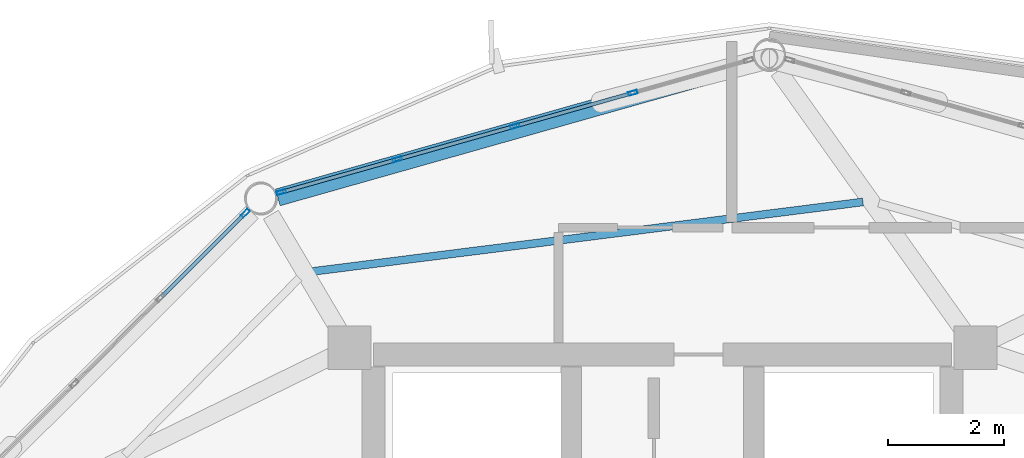
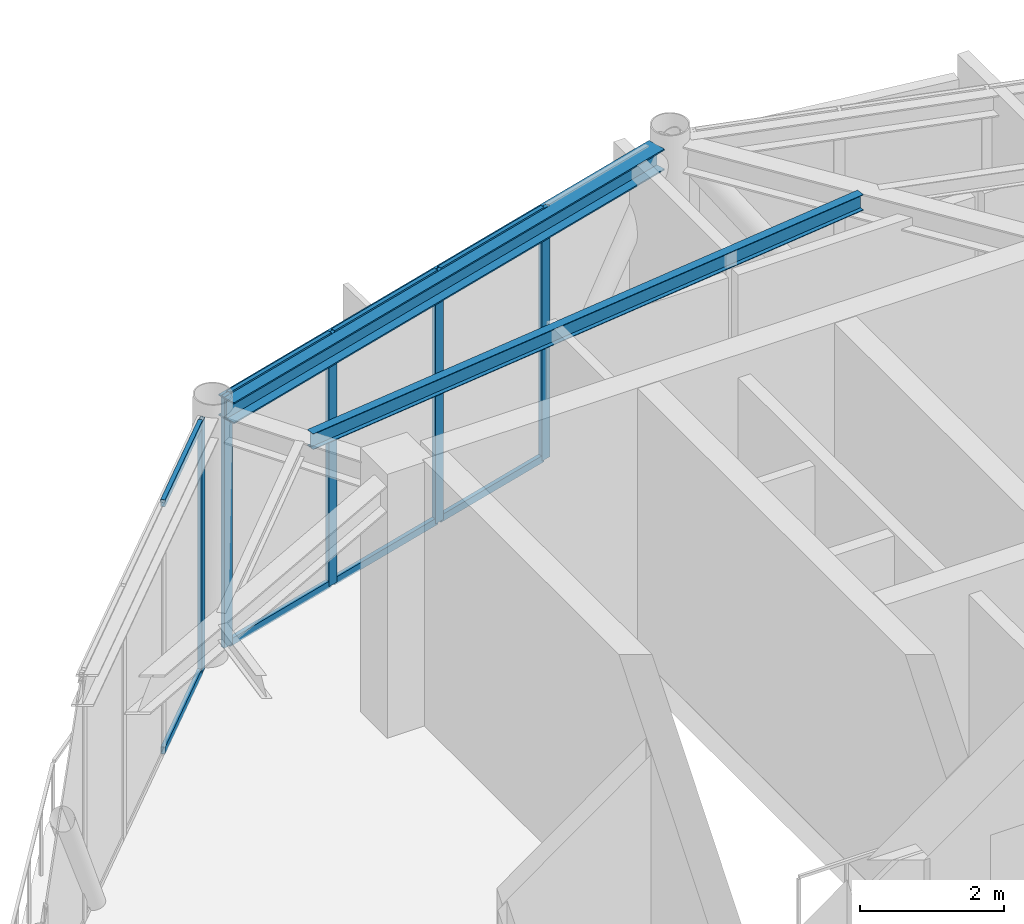
# One storey, part 17 of 26: 13 members, 2 beams, 2 elements without a shape of their own.
"""IFC4 building model written with IfcOpenShell, lengths in metres."""

from ifc_helpers import new_model, si_unit, direction, frame, origin, origin_2d, place, context, subcontext, project, spatial, hollow_rectangle, i_section, extrude, material, layer, layer_set, material_profile, profile_set, type_object, element, aggregate, save


model = new_model("IFC4")

# Units and contexts
model_context = context("Model", 3, precision=1e-05, world=origin(), true_north=direction((0.0, 1.0)))
body_context = subcontext(model_context, "Body", "Model", "MODEL_VIEW")
ifc_project = project(units=[si_unit("LENGTHUNIT", "METRE"), si_unit("AREAUNIT", "SQUARE_METRE"), si_unit("VOLUMEUNIT", "CUBIC_METRE"), si_unit("PLANEANGLEUNIT", "RADIAN"), si_unit("MASSUNIT", "GRAM", prefix="KILO")], contexts=[model_context])

# Site, building, storey
site_placement = place(None, origin())
site = spatial("IfcSite", under=ifc_project, at=site_placement, CompositionType="ELEMENT")
building_placement = place(site_placement, origin())
building = spatial("IfcBuilding", under=site, at=building_placement, Name="Varnakorn Sky Granary", CompositionType="ELEMENT")
storey_placement = place(building_placement, frame((0.0, 0.0, 289.5)))
storey = spatial("IfcBuildingStorey", under=building, at=storey_placement, Name="L74", CompositionType="ELEMENT", Elevation=289.5)

# Beams
ifc_material_1 = material(Name="Steel S355JR", Category="steel")
ifc_material_profile_1 = material_profile(ifc_material_1, i_section(OverallWidth=0.135009765625, OverallDepth=0.27001953125, WebThickness=0.006591796875, FlangeThickness=0.01025390625, at=origin_2d()), Name="IPE 270")
ifc_profile_set_1 = profile_set([ifc_material_profile_1], Name="Steel S355JR")
beam_type_1 = type_object("IfcBeamType", Name="BM-SEC-Z5", PredefinedType="BEAM", material=ifc_profile_set_1)
beam_1_placement = place(storey_placement, frame((6.469970703125, 15.143798828125, 4.125), z_axis=(-0.992123700518, -0.125261976958, 0.0), x_axis=(0.125261976958, -0.992123700518, 0.0)))
element("IfcBeam", 1, at=beam_1_placement, inside=storey, type_object=beam_type_1, Name="Secondary Floor Chord Beam MSB04 L74", PredefinedType="BEAM", context=body_context, shape_type="SweptSolid", body=[
    extrude(i_section(OverallWidth=0.135009765625, OverallDepth=0.27001953125, WebThickness=0.006591796875, FlangeThickness=0.01025390625, at=origin_2d()), origin(), (0.0, 0.0, 1.0), 9.59716796875),
])
ifc_material_profile_2 = material_profile(ifc_material_1, i_section(OverallWidth=0.300048828125, OverallDepth=0.360107421875, WebThickness=0.012451171875, FlangeThickness=0.0224609375, at=origin_2d()), Name="HE 360 B")
ifc_profile_set_2 = profile_set([ifc_material_profile_2], Name="Steel S355JR")
beam_type_2 = type_object("IfcBeamType", Name="BM-SPD-Z5", PredefinedType="SPANDREL", material=ifc_profile_set_2)
beam_2_placement = place(storey_placement, frame((4.595458984375, 17.556884765625, 4.080078125), z_axis=(-0.962258225045, -0.272138031765, 0.0), x_axis=(0.272138031765, -0.962258225045, 0.0)))
element("IfcBeam", 2, at=beam_2_placement, inside=storey, type_object=beam_type_2, Name="Perimeter Spandrel Ring Beam RB04 L74", PredefinedType="SPANDREL", context=body_context, shape_type="SweptSolid", body=[
    extrude(i_section(OverallWidth=0.300048828125, OverallDepth=0.360107421875, WebThickness=0.012451171875, FlangeThickness=0.0224609375, at=origin_2d()), origin(), (0.0, 0.0, 1.0), 8.5791015625),
])

# Curtain wall, members
ifc_material_2 = material(Name="Anodised Bronze Aluminium Alloy 6063-T6", Category="aluminium")
ifc_layer = layer(ifc_material_2, 0.159912109375, Name="Anodised Bronze Aluminium Alloy 6063-T6")
ifc_layer_set = layer_set([ifc_layer], Name="Anodised Bronze Aluminium Alloy 6063-T6")
curtain_wall_type = type_object("IfcCurtainWallType", Name="CW-OFF-1", PredefinedType="USERDEFINED", material=ifc_layer_set)
curtain_wall_1_placement = place(storey_placement, origin())
curtain_wall_1 = element("IfcCurtainWall", 3, at=curtain_wall_1_placement, inside=storey, type_object=curtain_wall_type, Name="Unitised Curtain Wall CW6 CW-L74-B04", ObjectType="CURTAIN WALL", PredefinedType="USERDEFINED")
ifc_material_profile_3 = material_profile(ifc_material_2, hollow_rectangle(XDim=0.06494140625, YDim=0.159912109375, WallThickness=0.00341796875, at=origin_2d()), Name="ALU MULL 65x160")
ifc_profile_set_3 = profile_set([ifc_material_profile_3], Name="Anodised Bronze Aluminium Alloy 6063-T6")
member_type_1 = type_object("IfcMemberType", Name="CW-OFF-1-MULL", PredefinedType="MULLION", material=ifc_profile_set_3)
member_1_placement = place(storey_placement, frame((-3.599609375, 15.312744140625, 0.0), z_axis=(0.0, 0.0, 1.0), x_axis=(-0.271878363446, 0.962331624488, 0.0)))
member_1 = element("IfcMember", 4, at=member_1_placement, type_object=member_type_1, Name="CW6 mullion 1", PredefinedType="MULLION", context=body_context, shape_type="SweptSolid", body=[
    extrude(hollow_rectangle(XDim=0.06494140625, YDim=0.159912109375, WallThickness=0.00341796875, at=origin_2d()), origin(), (0.0, 0.0, 1.0), 4.260009765625),
])
member_2_placement = place(storey_placement, frame((-1.59228515625, 15.8798828125, 0.0), z_axis=(0.0, 0.0, 1.0), x_axis=(-0.271878363446, 0.962331624488, 0.0)))
member_2 = element("IfcMember", 5, at=member_2_placement, type_object=member_type_1, Name="CW6 mullion 2", PredefinedType="MULLION", context=body_context, shape_type="SweptSolid", body=[
    extrude(hollow_rectangle(XDim=0.06494140625, YDim=0.159912109375, WallThickness=0.00341796875, at=origin_2d()), origin(), (0.0, 0.0, 1.0), 4.260009765625),
])
member_3_placement = place(storey_placement, frame((0.4462890625, 16.455810546875, 0.0), z_axis=(0.0, 0.0, 1.0), x_axis=(-0.271878363446, 0.962331624488, 0.0)))
member_3 = element("IfcMember", 6, at=member_3_placement, type_object=member_type_1, Name="CW6 mullion 3", PredefinedType="MULLION", context=body_context, shape_type="SweptSolid", body=[
    extrude(hollow_rectangle(XDim=0.06494140625, YDim=0.159912109375, WallThickness=0.00341796875, at=origin_2d()), origin(), (0.0, 0.0, 1.0), 4.260009765625),
])
member_4_placement = place(storey_placement, frame((2.48486328125, 17.03173828125, 0.0), z_axis=(0.0, 0.0, 1.0), x_axis=(-0.271878363446, 0.962331624488, 0.0)))
member_4 = element("IfcMember", 7, at=member_4_placement, type_object=member_type_1, Name="CW6 mullion 4", PredefinedType="MULLION", context=body_context, shape_type="SweptSolid", body=[
    extrude(hollow_rectangle(XDim=0.06494140625, YDim=0.159912109375, WallThickness=0.00341796875, at=origin_2d()), origin(), (0.0, 0.0, 1.0), 4.260009765625),
])

# Curtain wall, member
curtain_wall_2_placement = place(storey_placement, origin())
curtain_wall_2 = element("IfcCurtainWall", 8, at=curtain_wall_2_placement, inside=storey, type_object=curtain_wall_type, Name="Unitised Curtain Wall CW6 CW-L74-B05", ObjectType="CURTAIN WALL", PredefinedType="USERDEFINED")
member_5_placement = place(storey_placement, frame((-4.220947265625, 14.948974609375, 0.0), z_axis=(0.0, 0.0, 1.0), x_axis=(-0.706103251086, 0.708108889088, 0.0)))
member_5 = element("IfcMember", 9, at=member_5_placement, type_object=member_type_1, Name="CW6 mullion 5", PredefinedType="MULLION", context=body_context, shape_type="SweptSolid", body=[
    extrude(hollow_rectangle(XDim=0.06494140625, YDim=0.159912109375, WallThickness=0.00341796875, at=origin_2d()), origin(), (0.0, 0.0, 1.0), 4.260009765625),
])

# Member
ifc_material_profile_4 = material_profile(ifc_material_2, hollow_rectangle(XDim=0.06494140625, YDim=0.1201171875, WallThickness=0.00341796875, at=origin_2d()), Name="ALU TRAN 65x120")
ifc_profile_set_4 = profile_set([ifc_material_profile_4], Name="Anodised Bronze Aluminium Alloy 6063-T6")
member_type_2 = type_object("IfcMemberType", Name="CW-OFF-1-TRAN", PredefinedType="USERDEFINED", material=ifc_profile_set_4)
member_6_placement = place(storey_placement, frame((-3.568359375, 15.32177734375, 0.032470703125), z_axis=(0.962349256464, 0.271815946152, 0.0), x_axis=(-0.271815946152, 0.962349256464, 0.0)))
member_6 = element("IfcMember", 10, at=member_6_placement, type_object=member_type_2, Name="CW6 transom 1.1", ObjectType="TRANSOM", PredefinedType="USERDEFINED", context=body_context, shape_type="SweptSolid", body=[
    extrude(hollow_rectangle(XDim=0.06494140625, YDim=0.1201171875, WallThickness=0.00341796875, at=origin_2d()), origin(), (0.0, 0.0, 1.0), 2.02099609375),
])

member_7_placement = place(storey_placement, frame((-3.568359375, 15.32177734375, 4.2275390625), z_axis=(0.962349256464, 0.271815946152, 0.0), x_axis=(-0.271815946152, 0.962349256464, 0.0)))
member_7 = element("IfcMember", 11, at=member_7_placement, type_object=member_type_2, Name="CW6 transom 1.2", ObjectType="TRANSOM", PredefinedType="USERDEFINED", context=body_context, shape_type="SweptSolid", body=[
    extrude(hollow_rectangle(XDim=0.06494140625, YDim=0.1201171875, WallThickness=0.00341796875, at=origin_2d()), origin(), (0.0, 0.0, 1.0), 2.02099609375),
])

member_8_placement = place(storey_placement, frame((-1.56103515625, 15.888671875, 0.032470703125), z_axis=(0.962322930265, 0.271909135349, 0.0), x_axis=(-0.271909135349, 0.962322930265, 0.0)))
member_8 = element("IfcMember", 12, at=member_8_placement, type_object=member_type_2, Name="CW6 transom 2.1", ObjectType="TRANSOM", PredefinedType="USERDEFINED", context=body_context, shape_type="SweptSolid", body=[
    extrude(hollow_rectangle(XDim=0.06494140625, YDim=0.1201171875, WallThickness=0.00341796875, at=origin_2d()), origin(), (0.0, 0.0, 1.0), 2.053466796875),
])

member_9_placement = place(storey_placement, frame((-1.56103515625, 15.888671875, 4.2275390625), z_axis=(0.962322930265, 0.271909135349, 0.0), x_axis=(-0.271909135349, 0.962322930265, 0.0)))
member_9 = element("IfcMember", 13, at=member_9_placement, type_object=member_type_2, Name="CW6 transom 2.2", ObjectType="TRANSOM", PredefinedType="USERDEFINED", context=body_context, shape_type="SweptSolid", body=[
    extrude(hollow_rectangle(XDim=0.06494140625, YDim=0.1201171875, WallThickness=0.00341796875, at=origin_2d()), origin(), (0.0, 0.0, 1.0), 2.053466796875),
])

member_10_placement = place(storey_placement, frame((0.4775390625, 16.464599609375, 0.032470703125), z_axis=(0.962322930265, 0.271909135349, 0.0), x_axis=(-0.271909135349, 0.962322930265, 0.0)))
member_10 = element("IfcMember", 14, at=member_10_placement, type_object=member_type_2, Name="CW6 transom 3.1", ObjectType="TRANSOM", PredefinedType="USERDEFINED", context=body_context, shape_type="SweptSolid", body=[
    extrude(hollow_rectangle(XDim=0.06494140625, YDim=0.1201171875, WallThickness=0.00341796875, at=origin_2d()), origin(), (0.0, 0.0, 1.0), 2.053466796875),
])

member_11_placement = place(storey_placement, frame((0.4775390625, 16.464599609375, 4.2275390625), z_axis=(0.962322930265, 0.271909135349, 0.0), x_axis=(-0.271909135349, 0.962322930265, 0.0)))
member_11 = element("IfcMember", 15, at=member_11_placement, type_object=member_type_2, Name="CW6 transom 3.2", ObjectType="TRANSOM", PredefinedType="USERDEFINED", context=body_context, shape_type="SweptSolid", body=[
    extrude(hollow_rectangle(XDim=0.06494140625, YDim=0.1201171875, WallThickness=0.00341796875, at=origin_2d()), origin(), (0.0, 0.0, 1.0), 2.053466796875),
])

aggregate(curtain_wall_1, [member_1, member_2, member_3, member_4, member_6, member_7, member_8, member_9, member_10, member_11])

member_12_placement = place(storey_placement, frame((-5.66650390625, 13.507568359375, 0.032470703125), z_axis=(0.708139007887, 0.706073045448, 0.0), x_axis=(-0.706073045448, 0.708139007887, 0.0)))
member_12 = element("IfcMember", 16, at=member_12_placement, type_object=member_type_2, Name="CW6 transom 4.1", ObjectType="TRANSOM", PredefinedType="USERDEFINED", context=body_context, shape_type="SweptSolid", body=[
    extrude(hollow_rectangle(XDim=0.06494140625, YDim=0.1201171875, WallThickness=0.00341796875, at=origin_2d()), origin(), (0.0, 0.0, 1.0), 2.009033203125),
])

member_13_placement = place(storey_placement, frame((-5.66650390625, 13.507568359375, 4.2275390625), z_axis=(0.708139007887, 0.706073045448, 0.0), x_axis=(-0.706073045448, 0.708139007887, 0.0)))
member_13 = element("IfcMember", 17, at=member_13_placement, type_object=member_type_2, Name="CW6 transom 4.2", ObjectType="TRANSOM", PredefinedType="USERDEFINED", context=body_context, shape_type="SweptSolid", body=[
    extrude(hollow_rectangle(XDim=0.06494140625, YDim=0.1201171875, WallThickness=0.00341796875, at=origin_2d()), origin(), (0.0, 0.0, 1.0), 2.009033203125),
])

aggregate(curtain_wall_2, [member_5, member_12, member_13])

save(model, "model.ifc")
